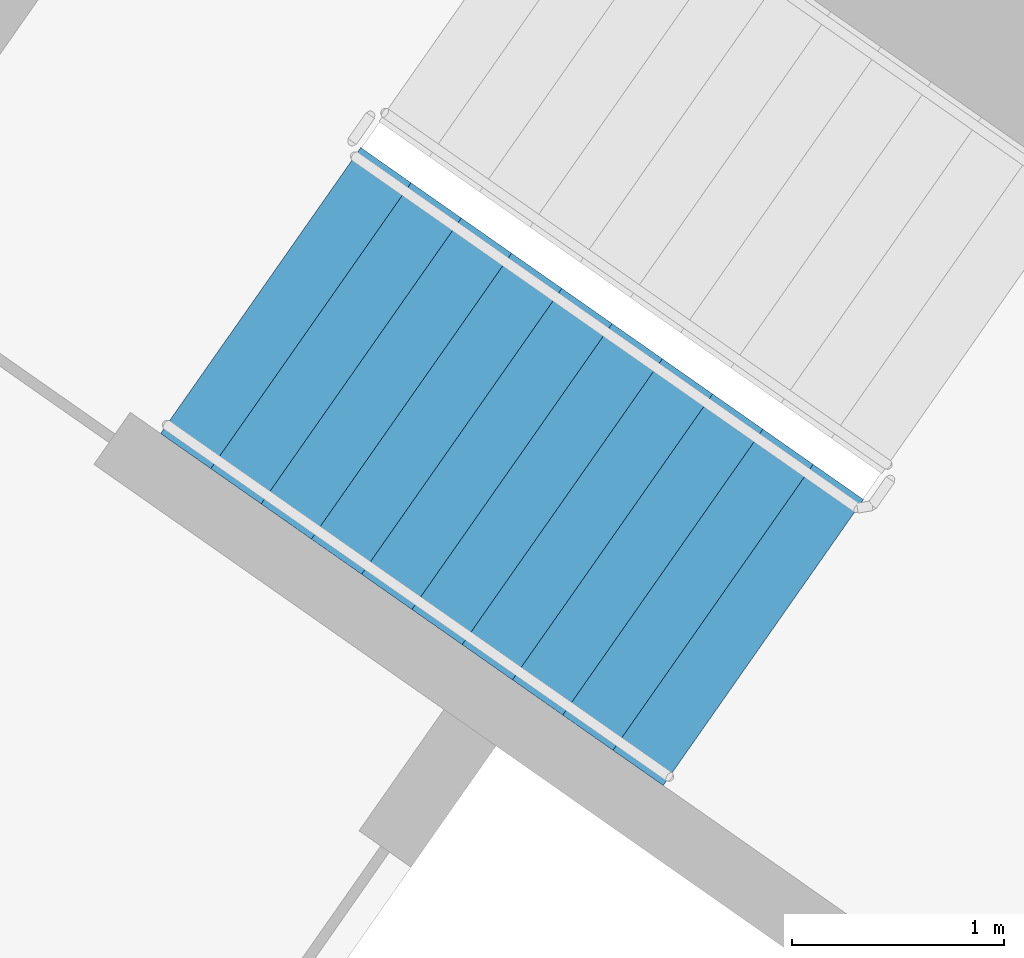
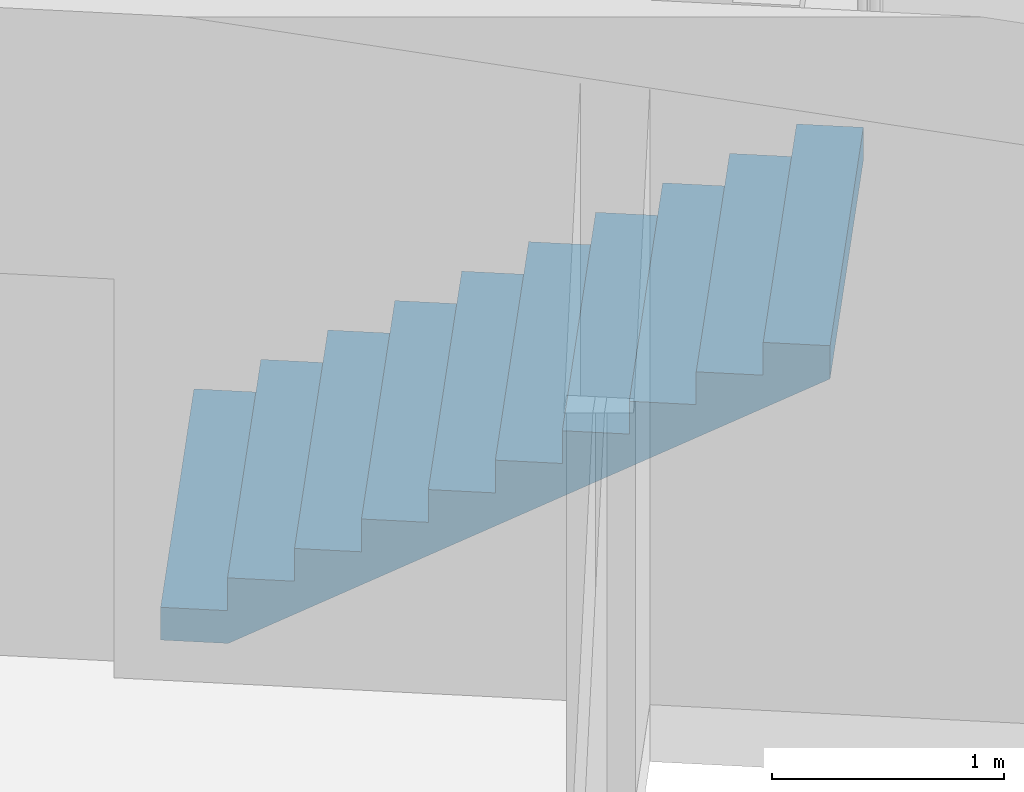
# One storey, part 11 of 27: 1 stair flight, 1 element without a shape of its own.
"""IFC4 building model written with IfcOpenShell, lengths in metres."""

from ifc_helpers import new_model, si_unit, direction, frame, origin, place, context, subcontext, project, spatial, faceted_brep, material, type_object, element, aggregate, save


model = new_model("IFC4")

# Units and contexts
model_context = context("Model", 3, precision=1e-05, world=origin(), true_north=direction((0.0, 1.0)))
body_context = subcontext(model_context, "Body", "Model", "MODEL_VIEW")
ifc_project = project(units=[si_unit("LENGTHUNIT", "METRE"), si_unit("AREAUNIT", "SQUARE_METRE"), si_unit("VOLUMEUNIT", "CUBIC_METRE"), si_unit("PLANEANGLEUNIT", "RADIAN"), si_unit("MASSUNIT", "GRAM", prefix="KILO")], contexts=[model_context])

# Site, building, storey
site_placement = place(None, origin())
site = spatial("IfcSite", under=ifc_project, at=site_placement, CompositionType="ELEMENT")
building_placement = place(site_placement, origin())
building = spatial("IfcBuilding", under=site, at=building_placement, Name="Qamariyya Broadcast Tower", CompositionType="ELEMENT")
storey_placement = place(building_placement, frame((0.0, 0.0, 191.10009765625)))
storey = spatial("IfcBuildingStorey", under=building, at=storey_placement, Name="L45", CompositionType="ELEMENT", Elevation=191.10009765625)

# Stair, stair flight
ifc_material = material(Name="Concrete C50/60", Category="concrete")
stair_type = type_object("IfcStairType", Name="Exit stair 22 risers of 173 mm", PredefinedType="HALF_TURN_STAIR", material=ifc_material)
stair_placement = place(storey_placement, origin())
stair = element("IfcStair", 1, at=stair_placement, inside=storey, type_object=stair_type, Name="L45 Stair W2", PredefinedType="HALF_TURN_STAIR")
stair_flight_type = type_object("IfcStairFlightType", Name="Exit stair flight 11 risers of 173 mm", PredefinedType="STRAIGHT", material=ifc_material)
stair_flight_placement = place(storey_placement, frame((-41.59130859375, -49.15966796875, 0.0), z_axis=(0.0, 0.0, 1.0), x_axis=(0.819152044289, -0.573576436351, 0.0)))
stair_flight = element("IfcStairFlight", 2, at=stair_flight_placement, type_object=stair_flight_type, Name="ST-W2 flight 1", NumberOfRisers=11, NumberOfTreads=10, PredefinedType="STRAIGHT", RiserHeight=0.172727273, TreadLength=0.29, context=body_context, shape_type="Brep", body=[
    faceted_brep([(0.0, 0.824951171875, 0.0), (0.0, 0.824951171875, 0.172607421875), (0.2900390625, 0.824951171875, 0.172607421875), (0.2900390625, 0.824951171875, 0.345458984375), (0.580078125, 0.824951171875, 0.345458984375), (0.580078125, 0.824951171875, 0.51806640625), (0.8701171875, 0.824951171875, 0.51806640625), (0.8701171875, 0.824951171875, 0.69091796875), (1.159912109375, 0.824951171875, 0.69091796875), (1.159912109375, 0.824951171875, 0.863525390625), (1.449951171875, 0.824951171875, 0.863525390625), (1.449951171875, 0.824951171875, 1.036376953125), (1.739990234375, 0.824951171875, 1.036376953125), (1.739990234375, 0.824951171875, 1.208984375), (2.030029296875, 0.824951171875, 1.208984375), (2.030029296875, 0.824951171875, 1.3818359375), (2.320068359375, 0.824951171875, 1.3818359375), (2.320068359375, 0.824951171875, 1.554443359375), (2.610107421875, 0.824951171875, 1.554443359375), (2.610107421875, 0.824951171875, 1.727294921875), (2.89990234375, 0.824951171875, 1.727294921875), (2.89990234375, 0.824951171875, 1.552734375), (0.29296875, 0.824951171875, 0.0), (0.29296875, -0.824951171875, 0.0), (2.89990234375, -0.824951171875, 1.552734375), (2.89990234375, -0.824951171875, 1.727294921875), (2.610107421875, -0.824951171875, 1.727294921875), (2.610107421875, -0.824951171875, 1.554443359375), (2.320068359375, -0.824951171875, 1.554443359375), (2.320068359375, -0.824951171875, 1.3818359375), (2.030029296875, -0.824951171875, 1.3818359375), (2.030029296875, -0.824951171875, 1.208984375), (1.739990234375, -0.824951171875, 1.208984375), (1.739990234375, -0.824951171875, 1.036376953125), (1.449951171875, -0.824951171875, 1.036376953125), (1.449951171875, -0.824951171875, 0.863525390625), (1.159912109375, -0.824951171875, 0.863525390625), (1.159912109375, -0.824951171875, 0.69091796875), (0.8701171875, -0.824951171875, 0.69091796875), (0.8701171875, -0.824951171875, 0.51806640625), (0.580078125, -0.824951171875, 0.51806640625), (0.580078125, -0.824951171875, 0.345458984375), (0.2900390625, -0.824951171875, 0.345458984375), (0.2900390625, -0.824951171875, 0.172607421875), (0.0, -0.824951171875, 0.172607421875), (0.0, -0.824951171875, 0.0), (0.0, 0.10009765625, 0.0), (0.0, 0.086669921875, 0.0), (0.0, 0.0732421875, 0.0), (0.0, 0.06005859375, 0.0), (0.0, 0.046630859375, 0.0), (0.0, 0.033447265625, 0.0), (0.0, 0.02001953125, 0.0), (0.0, 0.006591796875, 0.0), (0.0, -0.006591796875, 0.0), (0.0, -0.02001953125, 0.0), (0.0, -0.033447265625, 0.0), (0.0, -0.046630859375, 0.0), (0.0, -0.06005859375, 0.0), (0.0, -0.0732421875, 0.0), (0.0, -0.086669921875, 0.0), (0.0, -0.10009765625, 0.0), (0.0, -0.10009765625, 0.172607421875), (0.0, -0.086669921875, 0.172607421875), (0.0, -0.0732421875, 0.172607421875), (0.0, -0.06005859375, 0.172607421875), (0.0, -0.046630859375, 0.172607421875), (0.0, -0.033447265625, 0.172607421875), (0.0, -0.02001953125, 0.172607421875), (0.0, -0.006591796875, 0.172607421875), (0.0, 0.006591796875, 0.172607421875), (0.0, 0.02001953125, 0.172607421875), (0.0, 0.033447265625, 0.172607421875), (0.0, 0.046630859375, 0.172607421875), (0.0, 0.06005859375, 0.172607421875), (0.0, 0.0732421875, 0.172607421875), (0.0, 0.086669921875, 0.172607421875), (0.0, 0.10009765625, 0.172607421875), (0.2900390625, -0.10009765625, 0.172607421875), (0.2900390625, -0.086669921875, 0.172607421875), (0.2900390625, -0.0732421875, 0.172607421875), (0.2900390625, -0.06005859375, 0.172607421875), (0.2900390625, -0.046630859375, 0.172607421875), (0.2900390625, -0.033447265625, 0.172607421875), (0.2900390625, -0.02001953125, 0.172607421875), (0.2900390625, -0.006591796875, 0.172607421875), (0.2900390625, 0.006591796875, 0.172607421875), (0.2900390625, 0.02001953125, 0.172607421875), (0.2900390625, 0.033447265625, 0.172607421875), (0.2900390625, 0.046630859375, 0.172607421875), (0.2900390625, 0.06005859375, 0.172607421875), (0.2900390625, 0.0732421875, 0.172607421875), (0.2900390625, 0.086669921875, 0.172607421875), (0.2900390625, 0.10009765625, 0.172607421875), (0.2900390625, -0.10009765625, 0.345458984375), (0.2900390625, -0.086669921875, 0.345458984375), (0.2900390625, -0.0732421875, 0.345458984375), (0.2900390625, -0.06005859375, 0.345458984375), (0.2900390625, -0.046630859375, 0.345458984375), (0.2900390625, -0.033447265625, 0.345458984375), (0.2900390625, -0.02001953125, 0.345458984375), (0.2900390625, -0.006591796875, 0.345458984375), (0.2900390625, 0.006591796875, 0.345458984375), (0.2900390625, 0.02001953125, 0.345458984375), (0.2900390625, 0.033447265625, 0.345458984375), (0.2900390625, 0.046630859375, 0.345458984375), (0.2900390625, 0.06005859375, 0.345458984375), (0.2900390625, 0.0732421875, 0.345458984375), (0.2900390625, 0.086669921875, 0.345458984375), (0.2900390625, 0.10009765625, 0.345458984375), (0.580078125, -0.10009765625, 0.345458984375), (0.580078125, -0.086669921875, 0.345458984375), (0.580078125, -0.0732421875, 0.345458984375), (0.580078125, -0.06005859375, 0.345458984375), (0.580078125, -0.046630859375, 0.345458984375), (0.580078125, -0.033447265625, 0.345458984375), (0.580078125, -0.02001953125, 0.345458984375), (0.580078125, -0.006591796875, 0.345458984375), (0.580078125, 0.006591796875, 0.345458984375), (0.580078125, 0.02001953125, 0.345458984375), (0.580078125, 0.033447265625, 0.345458984375), (0.580078125, 0.046630859375, 0.345458984375), (0.580078125, 0.06005859375, 0.345458984375), (0.580078125, 0.0732421875, 0.345458984375), (0.580078125, 0.086669921875, 0.345458984375), (0.580078125, 0.10009765625, 0.345458984375), (0.580078125, -0.10009765625, 0.51806640625), (0.580078125, -0.086669921875, 0.51806640625), (0.580078125, -0.0732421875, 0.51806640625), (0.580078125, -0.06005859375, 0.51806640625), (0.580078125, -0.046630859375, 0.51806640625), (0.580078125, -0.033447265625, 0.51806640625), (0.580078125, -0.02001953125, 0.51806640625), (0.580078125, -0.006591796875, 0.51806640625), (0.580078125, 0.006591796875, 0.51806640625), (0.580078125, 0.02001953125, 0.51806640625), (0.580078125, 0.033447265625, 0.51806640625), (0.580078125, 0.046630859375, 0.51806640625), (0.580078125, 0.06005859375, 0.51806640625), (0.580078125, 0.0732421875, 0.51806640625), (0.580078125, 0.086669921875, 0.51806640625), (0.580078125, 0.10009765625, 0.51806640625), (0.8701171875, -0.10009765625, 0.51806640625), (0.8701171875, -0.086669921875, 0.51806640625), (0.8701171875, -0.0732421875, 0.51806640625), (0.8701171875, -0.06005859375, 0.51806640625), (0.8701171875, -0.046630859375, 0.51806640625), (0.8701171875, -0.033447265625, 0.51806640625), (0.8701171875, -0.02001953125, 0.51806640625), (0.8701171875, -0.006591796875, 0.51806640625), (0.8701171875, 0.006591796875, 0.51806640625), (0.8701171875, 0.02001953125, 0.51806640625), (0.8701171875, 0.033447265625, 0.51806640625), (0.8701171875, 0.046630859375, 0.51806640625), (0.8701171875, 0.06005859375, 0.51806640625), (0.8701171875, 0.0732421875, 0.51806640625), (0.8701171875, 0.086669921875, 0.51806640625), (0.8701171875, 0.10009765625, 0.51806640625), (0.8701171875, -0.10009765625, 0.69091796875), (0.8701171875, -0.086669921875, 0.69091796875), (0.8701171875, -0.0732421875, 0.69091796875), (0.8701171875, -0.06005859375, 0.69091796875), (0.8701171875, -0.046630859375, 0.69091796875), (0.8701171875, -0.033447265625, 0.69091796875), (0.8701171875, -0.02001953125, 0.69091796875), (0.8701171875, -0.006591796875, 0.69091796875), (0.8701171875, 0.006591796875, 0.69091796875), (0.8701171875, 0.02001953125, 0.69091796875), (0.8701171875, 0.033447265625, 0.69091796875), (0.8701171875, 0.046630859375, 0.69091796875), (0.8701171875, 0.06005859375, 0.69091796875), (0.8701171875, 0.0732421875, 0.69091796875), (0.8701171875, 0.086669921875, 0.69091796875), (0.8701171875, 0.10009765625, 0.69091796875), (1.159912109375, -0.10009765625, 0.69091796875), (1.159912109375, -0.086669921875, 0.69091796875), (1.159912109375, -0.0732421875, 0.69091796875), (1.159912109375, -0.06005859375, 0.69091796875), (1.159912109375, -0.046630859375, 0.69091796875), (1.159912109375, -0.033447265625, 0.69091796875), (1.159912109375, -0.02001953125, 0.69091796875), (1.159912109375, -0.006591796875, 0.69091796875), (1.159912109375, 0.006591796875, 0.69091796875), (1.159912109375, 0.02001953125, 0.69091796875), (1.159912109375, 0.033447265625, 0.69091796875), (1.159912109375, 0.046630859375, 0.69091796875), (1.159912109375, 0.06005859375, 0.69091796875), (1.159912109375, 0.0732421875, 0.69091796875), (1.159912109375, 0.086669921875, 0.69091796875), (1.159912109375, 0.10009765625, 0.69091796875), (1.159912109375, -0.10009765625, 0.863525390625), (1.159912109375, -0.086669921875, 0.863525390625), (1.159912109375, -0.0732421875, 0.863525390625), (1.159912109375, -0.06005859375, 0.863525390625), (1.159912109375, -0.046630859375, 0.863525390625), (1.159912109375, -0.033447265625, 0.863525390625), (1.159912109375, -0.02001953125, 0.863525390625), (1.159912109375, -0.006591796875, 0.863525390625), (1.159912109375, 0.006591796875, 0.863525390625), (1.159912109375, 0.02001953125, 0.863525390625), (1.159912109375, 0.033447265625, 0.863525390625), (1.159912109375, 0.046630859375, 0.863525390625), (1.159912109375, 0.06005859375, 0.863525390625), (1.159912109375, 0.0732421875, 0.863525390625), (1.159912109375, 0.086669921875, 0.863525390625), (1.159912109375, 0.10009765625, 0.863525390625), (1.449951171875, -0.10009765625, 0.863525390625), (1.449951171875, -0.086669921875, 0.863525390625), (1.449951171875, -0.0732421875, 0.863525390625), (1.449951171875, -0.06005859375, 0.863525390625), (1.449951171875, -0.046630859375, 0.863525390625), (1.449951171875, -0.033447265625, 0.863525390625), (1.449951171875, -0.02001953125, 0.863525390625), (1.449951171875, -0.006591796875, 0.863525390625), (1.449951171875, 0.006591796875, 0.863525390625), (1.449951171875, 0.02001953125, 0.863525390625), (1.449951171875, 0.033447265625, 0.863525390625), (1.449951171875, 0.046630859375, 0.863525390625), (1.449951171875, 0.06005859375, 0.863525390625), (1.449951171875, 0.0732421875, 0.863525390625), (1.449951171875, 0.086669921875, 0.863525390625), (1.449951171875, 0.10009765625, 0.863525390625), (1.449951171875, -0.10009765625, 1.036376953125), (1.449951171875, -0.086669921875, 1.036376953125), (1.449951171875, -0.0732421875, 1.036376953125), (1.449951171875, -0.06005859375, 1.036376953125), (1.449951171875, -0.046630859375, 1.036376953125), (1.449951171875, -0.033447265625, 1.036376953125), (1.449951171875, -0.02001953125, 1.036376953125), (1.449951171875, -0.006591796875, 1.036376953125), (1.449951171875, 0.006591796875, 1.036376953125), (1.449951171875, 0.02001953125, 1.036376953125), (1.449951171875, 0.033447265625, 1.036376953125), (1.449951171875, 0.046630859375, 1.036376953125), (1.449951171875, 0.06005859375, 1.036376953125), (1.449951171875, 0.0732421875, 1.036376953125), (1.449951171875, 0.086669921875, 1.036376953125), (1.449951171875, 0.10009765625, 1.036376953125), (1.739990234375, -0.10009765625, 1.036376953125), (1.739990234375, -0.086669921875, 1.036376953125), (1.739990234375, -0.0732421875, 1.036376953125), (1.739990234375, -0.06005859375, 1.036376953125), (1.739990234375, -0.046630859375, 1.036376953125), (1.739990234375, -0.033447265625, 1.036376953125), (1.739990234375, -0.02001953125, 1.036376953125), (1.739990234375, -0.006591796875, 1.036376953125), (1.739990234375, 0.006591796875, 1.036376953125), (1.739990234375, 0.02001953125, 1.036376953125), (1.739990234375, 0.033447265625, 1.036376953125), (1.739990234375, 0.046630859375, 1.036376953125), (1.739990234375, 0.06005859375, 1.036376953125), (1.739990234375, 0.0732421875, 1.036376953125), (1.739990234375, 0.086669921875, 1.036376953125), (1.739990234375, 0.10009765625, 1.036376953125), (1.739990234375, -0.10009765625, 1.208984375), (1.739990234375, -0.086669921875, 1.208984375), (1.739990234375, -0.0732421875, 1.208984375), (1.739990234375, -0.06005859375, 1.208984375), (1.739990234375, -0.046630859375, 1.208984375), (1.739990234375, -0.033447265625, 1.208984375), (1.739990234375, -0.02001953125, 1.208984375), (1.739990234375, -0.006591796875, 1.208984375), (1.739990234375, 0.006591796875, 1.208984375), (1.739990234375, 0.02001953125, 1.208984375), (1.739990234375, 0.033447265625, 1.208984375), (1.739990234375, 0.046630859375, 1.208984375), (1.739990234375, 0.06005859375, 1.208984375), (1.739990234375, 0.0732421875, 1.208984375), (1.739990234375, 0.086669921875, 1.208984375), (1.739990234375, 0.10009765625, 1.208984375), (2.030029296875, -0.10009765625, 1.208984375), (2.030029296875, -0.086669921875, 1.208984375), (2.030029296875, -0.0732421875, 1.208984375), (2.030029296875, -0.06005859375, 1.208984375), (2.030029296875, -0.046630859375, 1.208984375), (2.030029296875, -0.033447265625, 1.208984375), (2.030029296875, -0.02001953125, 1.208984375), (2.030029296875, -0.006591796875, 1.208984375), (2.030029296875, 0.006591796875, 1.208984375), (2.030029296875, 0.02001953125, 1.208984375), (2.030029296875, 0.033447265625, 1.208984375), (2.030029296875, 0.046630859375, 1.208984375), (2.030029296875, 0.06005859375, 1.208984375), (2.030029296875, 0.0732421875, 1.208984375), (2.030029296875, 0.086669921875, 1.208984375), (2.030029296875, 0.10009765625, 1.208984375), (2.030029296875, -0.10009765625, 1.3818359375), (2.030029296875, -0.086669921875, 1.3818359375), (2.030029296875, -0.0732421875, 1.3818359375), (2.030029296875, -0.06005859375, 1.3818359375), (2.030029296875, -0.046630859375, 1.3818359375), (2.030029296875, -0.033447265625, 1.3818359375), (2.030029296875, -0.02001953125, 1.3818359375), (2.030029296875, -0.006591796875, 1.3818359375), (2.030029296875, 0.006591796875, 1.3818359375), (2.030029296875, 0.02001953125, 1.3818359375), (2.030029296875, 0.033447265625, 1.3818359375), (2.030029296875, 0.046630859375, 1.3818359375), (2.030029296875, 0.06005859375, 1.3818359375), (2.030029296875, 0.0732421875, 1.3818359375), (2.030029296875, 0.086669921875, 1.3818359375), (2.030029296875, 0.10009765625, 1.3818359375), (2.320068359375, -0.10009765625, 1.3818359375), (2.320068359375, -0.086669921875, 1.3818359375), (2.320068359375, -0.0732421875, 1.3818359375), (2.320068359375, -0.06005859375, 1.3818359375), (2.320068359375, -0.046630859375, 1.3818359375), (2.320068359375, -0.033447265625, 1.3818359375), (2.320068359375, -0.02001953125, 1.3818359375), (2.320068359375, -0.006591796875, 1.3818359375), (2.320068359375, 0.006591796875, 1.3818359375), (2.320068359375, 0.02001953125, 1.3818359375), (2.320068359375, 0.033447265625, 1.3818359375), (2.320068359375, 0.046630859375, 1.3818359375), (2.320068359375, 0.06005859375, 1.3818359375), (2.320068359375, 0.0732421875, 1.3818359375), (2.320068359375, 0.086669921875, 1.3818359375), (2.320068359375, 0.10009765625, 1.3818359375), (2.320068359375, -0.10009765625, 1.554443359375), (2.320068359375, -0.086669921875, 1.554443359375), (2.320068359375, -0.0732421875, 1.554443359375), (2.320068359375, -0.06005859375, 1.554443359375), (2.320068359375, -0.046630859375, 1.554443359375), (2.320068359375, -0.033447265625, 1.554443359375), (2.320068359375, -0.02001953125, 1.554443359375), (2.320068359375, -0.006591796875, 1.554443359375), (2.320068359375, 0.006591796875, 1.554443359375), (2.320068359375, 0.02001953125, 1.554443359375), (2.320068359375, 0.033447265625, 1.554443359375), (2.320068359375, 0.046630859375, 1.554443359375), (2.320068359375, 0.06005859375, 1.554443359375), (2.320068359375, 0.0732421875, 1.554443359375), (2.320068359375, 0.086669921875, 1.554443359375), (2.320068359375, 0.10009765625, 1.554443359375), (2.610107421875, -0.10009765625, 1.554443359375), (2.610107421875, -0.086669921875, 1.554443359375), (2.610107421875, -0.0732421875, 1.554443359375), (2.610107421875, -0.06005859375, 1.554443359375), (2.610107421875, -0.046630859375, 1.554443359375), (2.610107421875, -0.033447265625, 1.554443359375), (2.610107421875, -0.02001953125, 1.554443359375), (2.610107421875, -0.006591796875, 1.554443359375), (2.610107421875, 0.006591796875, 1.554443359375), (2.610107421875, 0.02001953125, 1.554443359375), (2.610107421875, 0.033447265625, 1.554443359375), (2.610107421875, 0.046630859375, 1.554443359375), (2.610107421875, 0.06005859375, 1.554443359375), (2.610107421875, 0.0732421875, 1.554443359375), (2.610107421875, 0.086669921875, 1.554443359375), (2.610107421875, 0.10009765625, 1.554443359375), (2.610107421875, -0.10009765625, 1.727294921875), (2.610107421875, -0.086669921875, 1.727294921875), (2.610107421875, -0.0732421875, 1.727294921875), (2.610107421875, -0.06005859375, 1.727294921875), (2.610107421875, -0.046630859375, 1.727294921875), (2.610107421875, -0.033447265625, 1.727294921875), (2.610107421875, -0.02001953125, 1.727294921875), (2.610107421875, -0.006591796875, 1.727294921875), (2.610107421875, 0.006591796875, 1.727294921875), (2.610107421875, 0.02001953125, 1.727294921875), (2.610107421875, 0.033447265625, 1.727294921875), (2.610107421875, 0.046630859375, 1.727294921875), (2.610107421875, 0.06005859375, 1.727294921875), (2.610107421875, 0.0732421875, 1.727294921875), (2.610107421875, 0.086669921875, 1.727294921875), (2.610107421875, 0.10009765625, 1.727294921875), (2.89990234375, -0.10009765625, 1.727294921875), (2.89990234375, -0.086669921875, 1.727294921875), (2.89990234375, -0.0732421875, 1.727294921875), (2.89990234375, -0.06005859375, 1.727294921875), (2.89990234375, -0.046630859375, 1.727294921875), (2.89990234375, -0.033447265625, 1.727294921875), (2.89990234375, -0.02001953125, 1.727294921875), (2.89990234375, -0.006591796875, 1.727294921875), (2.89990234375, 0.006591796875, 1.727294921875), (2.89990234375, 0.02001953125, 1.727294921875), (2.89990234375, 0.033447265625, 1.727294921875), (2.89990234375, 0.046630859375, 1.727294921875), (2.89990234375, 0.06005859375, 1.727294921875), (2.89990234375, 0.0732421875, 1.727294921875), (2.89990234375, 0.086669921875, 1.727294921875), (2.89990234375, 0.10009765625, 1.727294921875), (2.89990234375, -0.10009765625, 1.552734375), (2.89990234375, -0.086669921875, 1.552734375), (2.89990234375, -0.0732421875, 1.552734375), (2.89990234375, -0.06005859375, 1.552734375), (2.89990234375, -0.046630859375, 1.552734375), (2.89990234375, -0.033447265625, 1.552734375), (2.89990234375, -0.02001953125, 1.552734375), (2.89990234375, -0.006591796875, 1.552734375), (2.89990234375, 0.006591796875, 1.552734375), (2.89990234375, 0.02001953125, 1.552734375), (2.89990234375, 0.033447265625, 1.552734375), (2.89990234375, 0.046630859375, 1.552734375), (2.89990234375, 0.06005859375, 1.552734375), (2.89990234375, 0.0732421875, 1.552734375), (2.89990234375, 0.086669921875, 1.552734375), (2.89990234375, 0.10009765625, 1.552734375), (0.29296875, -0.10009765625, 0.0), (0.29296875, -0.086669921875, 0.0), (0.29296875, -0.0732421875, 0.0), (0.29296875, -0.06005859375, 0.0), (0.29296875, -0.046630859375, 0.0), (0.29296875, -0.033447265625, 0.0), (0.29296875, -0.02001953125, 0.0), (0.29296875, -0.006591796875, 0.0), (0.29296875, 0.006591796875, 0.0), (0.29296875, 0.02001953125, 0.0), (0.29296875, 0.033447265625, 0.0), (0.29296875, 0.046630859375, 0.0), (0.29296875, 0.06005859375, 0.0), (0.29296875, 0.0732421875, 0.0), (0.29296875, 0.086669921875, 0.0), (0.29296875, 0.10009765625, 0.0)], [[[0, 1, 2, 3, 4, 5, 6, 7, 8, 9, 10, 11, 12, 13, 14, 15, 16, 17, 18, 19, 20, 21, 22]], [[23, 24, 25, 26, 27, 28, 29, 30, 31, 32, 33, 34, 35, 36, 37, 38, 39, 40, 41, 42, 43, 44, 45]], [[0, 46, 47, 48, 49, 50, 51, 52, 53, 54, 55, 56, 57, 58, 59, 60, 61, 45, 44, 62, 63, 64, 65, 66, 67, 68, 69, 70, 71, 72, 73, 74, 75, 76, 77, 1]], [[1, 77, 76, 75, 74, 73, 72, 71, 70, 69, 68, 67, 66, 65, 64, 63, 62, 44, 43, 78, 79, 80, 81, 82, 83, 84, 85, 86, 87, 88, 89, 90, 91, 92, 93, 2]], [[2, 93, 92, 91, 90, 89, 88, 87, 86, 85, 84, 83, 82, 81, 80, 79, 78, 43, 42, 94, 95, 96, 97, 98, 99, 100, 101, 102, 103, 104, 105, 106, 107, 108, 109, 3]], [[3, 109, 108, 107, 106, 105, 104, 103, 102, 101, 100, 99, 98, 97, 96, 95, 94, 42, 41, 110, 111, 112, 113, 114, 115, 116, 117, 118, 119, 120, 121, 122, 123, 124, 125, 4]], [[4, 125, 124, 123, 122, 121, 120, 119, 118, 117, 116, 115, 114, 113, 112, 111, 110, 41, 40, 126, 127, 128, 129, 130, 131, 132, 133, 134, 135, 136, 137, 138, 139, 140, 141, 5]], [[5, 141, 140, 139, 138, 137, 136, 135, 134, 133, 132, 131, 130, 129, 128, 127, 126, 40, 39, 142, 143, 144, 145, 146, 147, 148, 149, 150, 151, 152, 153, 154, 155, 156, 157, 6]], [[6, 157, 156, 155, 154, 153, 152, 151, 150, 149, 148, 147, 146, 145, 144, 143, 142, 39, 38, 158, 159, 160, 161, 162, 163, 164, 165, 166, 167, 168, 169, 170, 171, 172, 173, 7]], [[7, 173, 172, 171, 170, 169, 168, 167, 166, 165, 164, 163, 162, 161, 160, 159, 158, 38, 37, 174, 175, 176, 177, 178, 179, 180, 181, 182, 183, 184, 185, 186, 187, 188, 189, 8]], [[8, 189, 188, 187, 186, 185, 184, 183, 182, 181, 180, 179, 178, 177, 176, 175, 174, 37, 36, 190, 191, 192, 193, 194, 195, 196, 197, 198, 199, 200, 201, 202, 203, 204, 205, 9]], [[9, 205, 204, 203, 202, 201, 200, 199, 198, 197, 196, 195, 194, 193, 192, 191, 190, 36, 35, 206, 207, 208, 209, 210, 211, 212, 213, 214, 215, 216, 217, 218, 219, 220, 221, 10]], [[10, 221, 220, 219, 218, 217, 216, 215, 214, 213, 212, 211, 210, 209, 208, 207, 206, 35, 34, 222, 223, 224, 225, 226, 227, 228, 229, 230, 231, 232, 233, 234, 235, 236, 237, 11]], [[11, 237, 236, 235, 234, 233, 232, 231, 230, 229, 228, 227, 226, 225, 224, 223, 222, 34, 33, 238, 239, 240, 241, 242, 243, 244, 245, 246, 247, 248, 249, 250, 251, 252, 253, 12]], [[12, 253, 252, 251, 250, 249, 248, 247, 246, 245, 244, 243, 242, 241, 240, 239, 238, 33, 32, 254, 255, 256, 257, 258, 259, 260, 261, 262, 263, 264, 265, 266, 267, 268, 269, 13]], [[13, 269, 268, 267, 266, 265, 264, 263, 262, 261, 260, 259, 258, 257, 256, 255, 254, 32, 31, 270, 271, 272, 273, 274, 275, 276, 277, 278, 279, 280, 281, 282, 283, 284, 285, 14]], [[14, 285, 284, 283, 282, 281, 280, 279, 278, 277, 276, 275, 274, 273, 272, 271, 270, 31, 30, 286, 287, 288, 289, 290, 291, 292, 293, 294, 295, 296, 297, 298, 299, 300, 301, 15]], [[15, 301, 300, 299, 298, 297, 296, 295, 294, 293, 292, 291, 290, 289, 288, 287, 286, 30, 29, 302, 303, 304, 305, 306, 307, 308, 309, 310, 311, 312, 313, 314, 315, 316, 317, 16]], [[16, 317, 316, 315, 314, 313, 312, 311, 310, 309, 308, 307, 306, 305, 304, 303, 302, 29, 28, 318, 319, 320, 321, 322, 323, 324, 325, 326, 327, 328, 329, 330, 331, 332, 333, 17]], [[17, 333, 332, 331, 330, 329, 328, 327, 326, 325, 324, 323, 322, 321, 320, 319, 318, 28, 27, 334, 335, 336, 337, 338, 339, 340, 341, 342, 343, 344, 345, 346, 347, 348, 349, 18]], [[18, 349, 348, 347, 346, 345, 344, 343, 342, 341, 340, 339, 338, 337, 336, 335, 334, 27, 26, 350, 351, 352, 353, 354, 355, 356, 357, 358, 359, 360, 361, 362, 363, 364, 365, 19]], [[19, 365, 364, 363, 362, 361, 360, 359, 358, 357, 356, 355, 354, 353, 352, 351, 350, 26, 25, 366, 367, 368, 369, 370, 371, 372, 373, 374, 375, 376, 377, 378, 379, 380, 381, 20]], [[20, 381, 380, 379, 378, 377, 376, 375, 374, 373, 372, 371, 370, 369, 368, 367, 366, 25, 24, 382, 383, 384, 385, 386, 387, 388, 389, 390, 391, 392, 393, 394, 395, 396, 397, 21]], [[21, 397, 396, 395, 394, 393, 392, 391, 390, 389, 388, 387, 386, 385, 384, 383, 382, 24, 23, 398, 399, 400, 401, 402, 403, 404, 405, 406, 407, 408, 409, 410, 411, 412, 413, 22]], [[22, 413, 412, 411, 410, 409, 408, 407, 406, 405, 404, 403, 402, 401, 400, 399, 398, 23, 45, 61, 60, 59, 58, 57, 56, 55, 54, 53, 52, 51, 50, 49, 48, 47, 46, 0]]]),
])
aggregate(stair, [stair_flight])

save(model, "model.ifc")
